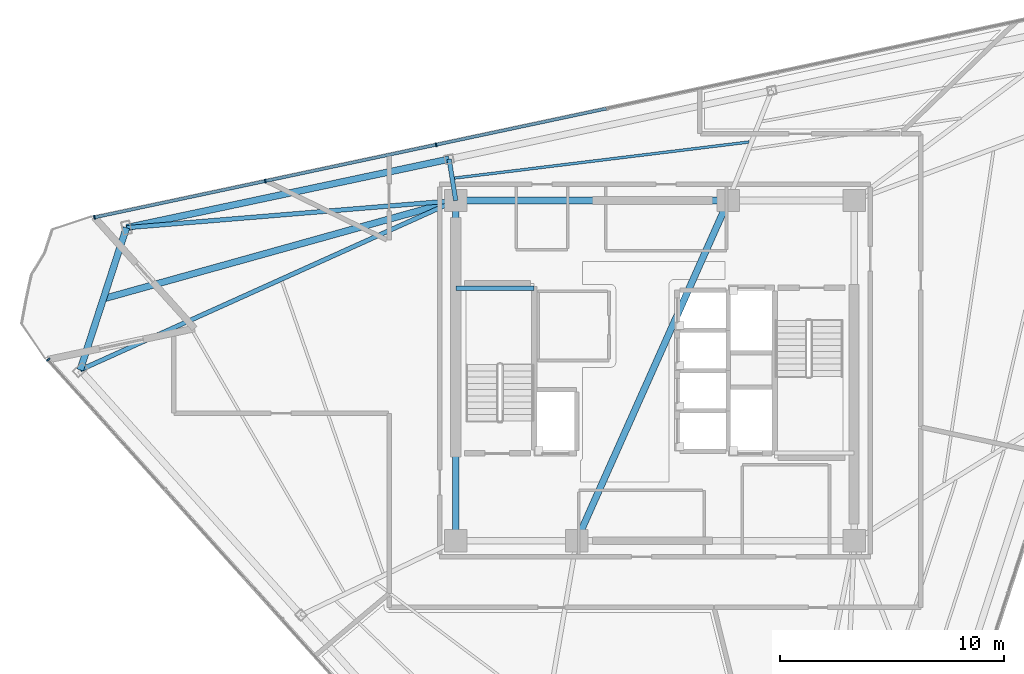
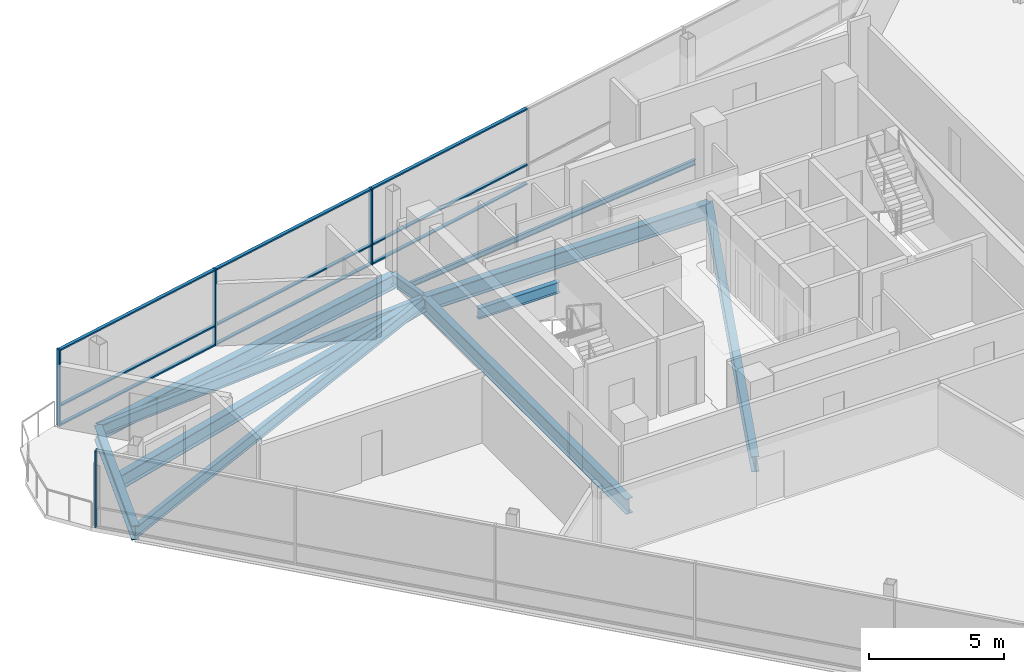
# One storey, part 6 of 15: 13 members, 11 beams, 2 elements without a shape of their own.
"""IFC4 building model written with IfcOpenShell, lengths in metres."""

from ifc_helpers import new_model, si_unit, direction, frame, origin, origin_2d, place, context, subcontext, project, spatial, rectangle, i_section, extrude, material, layer, layer_set, material_profile, profile_set, type_object, element, aggregate, save


model = new_model("IFC4")

# Units and contexts
model_context = context("Model", 3, precision=1e-05, world=origin(), true_north=direction((0.0, 1.0)))
body_context = subcontext(model_context, "Body", "Model", "MODEL_VIEW")
ifc_project = project(units=[si_unit("LENGTHUNIT", "METRE"), si_unit("AREAUNIT", "SQUARE_METRE"), si_unit("VOLUMEUNIT", "CUBIC_METRE"), si_unit("PLANEANGLEUNIT", "RADIAN"), si_unit("MASSUNIT", "GRAM", prefix="KILO")], contexts=[model_context])

# Site, building, storey
site_placement = place(None, origin())
site = spatial("IfcSite", under=ifc_project, at=site_placement, CompositionType="ELEMENT")
building_placement = place(site_placement, origin())
building = spatial("IfcBuilding", under=site, at=building_placement, Name="Tharavind Bronze Gate", CompositionType="ELEMENT")
storey_placement = place(building_placement, frame((0.0, 0.0, 290.699951171875)))
storey = spatial("IfcBuildingStorey", under=building, at=storey_placement, Name="L75", CompositionType="ELEMENT", Elevation=290.699951171875)

# Curtain wall, member
ifc_material_1 = material(Name="Anodised Bronze Aluminium", Category="aluminium")
ifc_layer = layer(ifc_material_1, 0.219970703125)
ifc_layer_set = layer_set([ifc_layer], Name="Anodised Bronze Aluminium")
curtain_wall_type = type_object("IfcCurtainWallType", Name="UNITISED CURTAIN WALL CROWN", PredefinedType="USERDEFINED", material=ifc_layer_set)
curtain_wall_1_placement = place(storey_placement, origin())
curtain_wall_1 = element("IfcCurtainWall", 1, at=curtain_wall_1_placement, inside=storey, type_object=curtain_wall_type, Name="L75 unitised curtain wall crown CW-L75-S1", ObjectType="UNITISED CURTAIN WALL", PredefinedType="USERDEFINED")
member_type_1 = type_object("IfcMemberType", Name="CURTAIN WALL BRONZE MULLION 65X180", PredefinedType="MULLION", material=ifc_material_1)
member_1_placement = place(storey_placement, frame((-27.105224609375, 0.4951171875, 0.0), z_axis=(0.0, 0.0, 1.0), x_axis=(0.669130606359, -0.743144825477, 0.0)))
member_1 = element("IfcMember", 2, at=member_1_placement, type_object=member_type_1, Name="CW-L75-S1 mullion 1", PredefinedType="MULLION", context=body_context, shape_type="SweptSolid", body=[
    extrude(rectangle(XDim=0.06494140625, YDim=0.179931640625, at=origin_2d()), origin(), (0.0, 0.0, 1.0), 3.465087890625),
])
aggregate(curtain_wall_1, [member_1])

# Curtain wall, members
curtain_wall_2_placement = place(storey_placement, origin())
curtain_wall_2 = element("IfcCurtainWall", 3, at=curtain_wall_2_placement, inside=storey, type_object=curtain_wall_type, Name="L75 unitised curtain wall crown CW-L75-S3", ObjectType="UNITISED CURTAIN WALL", PredefinedType="USERDEFINED")
member_2_placement = place(storey_placement, frame((-9.776611328125, 10.0927734375, 0.0), z_axis=(0.0, 0.0, 1.0), x_axis=(-0.978147237858, -0.207913398007, 0.0)))
member_2 = element("IfcMember", 4, at=member_2_placement, type_object=member_type_1, Name="CW-L75-S3 mullion 5", PredefinedType="MULLION", context=body_context, shape_type="SweptSolid", body=[
    extrude(rectangle(XDim=0.06494140625, YDim=0.179931640625, at=origin_2d()), origin(), (0.0, 0.0, 1.0), 3.465087890625),
])
member_3_placement = place(storey_placement, frame((-17.408935546875, 8.470458984375, 0.0), z_axis=(0.0, 0.0, 1.0), x_axis=(-0.978147237858, -0.207913398007, 0.0)))
member_3 = element("IfcMember", 5, at=member_3_placement, type_object=member_type_1, Name="CW-L75-S3 mullion 6", PredefinedType="MULLION", context=body_context, shape_type="SweptSolid", body=[
    extrude(rectangle(XDim=0.06494140625, YDim=0.179931640625, at=origin_2d()), origin(), (0.0, 0.0, 1.0), 3.465087890625),
])
member_4_placement = place(storey_placement, frame((-25.041015625, 6.84814453125, 0.0), z_axis=(0.0, 0.0, 1.0), x_axis=(-0.978147237858, -0.207913398007, 0.0)))
member_4 = element("IfcMember", 6, at=member_4_placement, type_object=member_type_1, Name="CW-L75-S3 mullion 7", PredefinedType="MULLION", context=body_context, shape_type="SweptSolid", body=[
    extrude(rectangle(XDim=0.06494140625, YDim=0.179931640625, at=origin_2d()), origin(), (0.0, 0.0, 1.0), 3.465087890625),
])
member_type_2 = type_object("IfcMemberType", Name="CURTAIN WALL BRONZE TRANSOM 65X140", PredefinedType="USERDEFINED", material=ifc_material_1)
member_5_placement = place(storey_placement, frame((-5.960693359375, 10.90380859375, 0.0), z_axis=(0.0, 0.0, 1.0), x_axis=(-0.978147237858, -0.207913398007, 0.0)))
member_5 = element("IfcMember", 7, at=member_5_placement, type_object=member_type_2, Name="CW-L75-S3 transom TB4", ObjectType="TRANSOM", PredefinedType="USERDEFINED", context=body_context, shape_type="SweptSolid", body=[
    extrude(rectangle(XDim=7.749755859375, YDim=0.139892578125, at=origin_2d()), origin(), (0.0, 0.0, 1.0), 0.06494140625),
])
member_6_placement = place(storey_placement, frame((-5.960693359375, 10.90380859375, 0.86767578125), z_axis=(0.0, 0.0, 1.0), x_axis=(-0.978147237858, -0.207913398007, 0.0)))
member_6 = element("IfcMember", 8, at=member_6_placement, type_object=member_type_2, Name="CW-L75-S3 transom TS4", ObjectType="TRANSOM", PredefinedType="USERDEFINED", context=body_context, shape_type="SweptSolid", body=[
    extrude(rectangle(XDim=7.749755859375, YDim=0.139892578125, at=origin_2d()), origin(), (0.0, 0.0, 1.0), 0.06494140625),
])
member_7_placement = place(storey_placement, frame((-5.960693359375, 10.90380859375, 3.400146484375), z_axis=(0.0, 0.0, 1.0), x_axis=(-0.978147237858, -0.207913398007, 0.0)))
member_7 = element("IfcMember", 9, at=member_7_placement, type_object=member_type_2, Name="CW-L75-S3 transom TT4", ObjectType="TRANSOM", PredefinedType="USERDEFINED", context=body_context, shape_type="SweptSolid", body=[
    extrude(rectangle(XDim=7.749755859375, YDim=0.139892578125, at=origin_2d()), origin(), (0.0, 0.0, 1.0), 0.06494140625),
])
member_8_placement = place(storey_placement, frame((-13.5927734375, 9.281494140625, 0.0), z_axis=(0.0, 0.0, 1.0), x_axis=(-0.978147237858, -0.207913398007, 0.0)))
member_8 = element("IfcMember", 10, at=member_8_placement, type_object=member_type_2, Name="CW-L75-S3 transom TB5", ObjectType="TRANSOM", PredefinedType="USERDEFINED", context=body_context, shape_type="SweptSolid", body=[
    extrude(rectangle(XDim=7.749755859375, YDim=0.139892578125, at=origin_2d()), origin(), (0.0, 0.0, 1.0), 0.06494140625),
])
member_9_placement = place(storey_placement, frame((-13.5927734375, 9.281494140625, 0.86767578125), z_axis=(0.0, 0.0, 1.0), x_axis=(-0.978147237858, -0.207913398007, 0.0)))
member_9 = element("IfcMember", 11, at=member_9_placement, type_object=member_type_2, Name="CW-L75-S3 transom TS5", ObjectType="TRANSOM", PredefinedType="USERDEFINED", context=body_context, shape_type="SweptSolid", body=[
    extrude(rectangle(XDim=7.749755859375, YDim=0.139892578125, at=origin_2d()), origin(), (0.0, 0.0, 1.0), 0.06494140625),
])
member_10_placement = place(storey_placement, frame((-13.5927734375, 9.281494140625, 3.400146484375), z_axis=(0.0, 0.0, 1.0), x_axis=(-0.978147237858, -0.207913398007, 0.0)))
member_10 = element("IfcMember", 12, at=member_10_placement, type_object=member_type_2, Name="CW-L75-S3 transom TT5", ObjectType="TRANSOM", PredefinedType="USERDEFINED", context=body_context, shape_type="SweptSolid", body=[
    extrude(rectangle(XDim=7.749755859375, YDim=0.139892578125, at=origin_2d()), origin(), (0.0, 0.0, 1.0), 0.06494140625),
])
member_11_placement = place(storey_placement, frame((-21.22509765625, 7.6591796875, 0.0), z_axis=(0.0, 0.0, 1.0), x_axis=(-0.978147237858, -0.207913398007, 0.0)))
member_11 = element("IfcMember", 13, at=member_11_placement, type_object=member_type_2, Name="CW-L75-S3 transom TB6", ObjectType="TRANSOM", PredefinedType="USERDEFINED", context=body_context, shape_type="SweptSolid", body=[
    extrude(rectangle(XDim=7.749755859375, YDim=0.139892578125, at=origin_2d()), origin(), (0.0, 0.0, 1.0), 0.06494140625),
])
member_12_placement = place(storey_placement, frame((-21.22509765625, 7.6591796875, 0.86767578125), z_axis=(0.0, 0.0, 1.0), x_axis=(-0.978147237858, -0.207913398007, 0.0)))
member_12 = element("IfcMember", 14, at=member_12_placement, type_object=member_type_2, Name="CW-L75-S3 transom TS6", ObjectType="TRANSOM", PredefinedType="USERDEFINED", context=body_context, shape_type="SweptSolid", body=[
    extrude(rectangle(XDim=7.749755859375, YDim=0.139892578125, at=origin_2d()), origin(), (0.0, 0.0, 1.0), 0.06494140625),
])
member_13_placement = place(storey_placement, frame((-21.22509765625, 7.6591796875, 3.400146484375), z_axis=(0.0, 0.0, 1.0), x_axis=(-0.978147237858, -0.207913398007, 0.0)))
member_13 = element("IfcMember", 15, at=member_13_placement, type_object=member_type_2, Name="CW-L75-S3 transom TT6", ObjectType="TRANSOM", PredefinedType="USERDEFINED", context=body_context, shape_type="SweptSolid", body=[
    extrude(rectangle(XDim=7.749755859375, YDim=0.139892578125, at=origin_2d()), origin(), (0.0, 0.0, 1.0), 0.06494140625),
])
aggregate(curtain_wall_2, [member_2, member_3, member_4, member_5, member_6, member_7, member_8, member_9, member_10, member_11, member_12, member_13])

# Beams
ifc_material_2 = material(Name="Steel S355", Category="steel")
ifc_material_profile_1 = material_profile(ifc_material_2, i_section(OverallWidth=0.300048828125, OverallDepth=0.64990234375, WebThickness=0.01611328125, FlangeThickness=0.031005859375, at=origin_2d()), Name="HE650B")
ifc_profile_set_1 = profile_set([ifc_material_profile_1], Name="Steel S355")
beam_type_1 = type_object("IfcBeamType", Name="PRIMARY GIRDER HE650B", PredefinedType="USERDEFINED", material=ifc_profile_set_1)
beam_1_placement = place(storey_placement, frame((-9.197265625, 9.44921875, -0.510009765625), z_axis=(-0.97814794647, -0.207910064249, 0.0), x_axis=(0.207910064249, -0.97814794647, 0.0)))
element("IfcBeam", 16, at=beam_1_placement, inside=storey, type_object=beam_type_1, Name="L75 primary girder he650b BM-L75-PRG11", ObjectType="GIRDER", PredefinedType="USERDEFINED", context=body_context, shape_type="SweptSolid", body=[
    extrude(i_section(OverallWidth=0.300048828125, OverallDepth=0.64990234375, WebThickness=0.01611328125, FlangeThickness=0.031005859375, at=origin_2d()), origin(), (0.0, 0.0, 1.0), 14.7392578125),
])
beam_2_placement = place(storey_placement, frame((-23.614501953125, 6.384765625, -0.510009765625), z_axis=(-0.309014999798, -0.95105716437, 0.0), x_axis=(0.95105716437, -0.309014999798, 0.0)))
element("IfcBeam", 17, at=beam_2_placement, inside=storey, type_object=beam_type_1, Name="L75 primary girder he650b BM-L75-PRG12", ObjectType="GIRDER", PredefinedType="USERDEFINED", context=body_context, shape_type="SweptSolid", body=[
    extrude(i_section(OverallWidth=0.300048828125, OverallDepth=0.64990234375, WebThickness=0.01611328125, FlangeThickness=0.031005859375, at=origin_2d()), origin(), (0.0, 0.0, 1.0), 6.679931640625),
])
beam_3_placement = place(storey_placement, frame((-8.89990234375, 7.60009765625, -0.510009765625), z_axis=(-0.963236664958, -0.268654289527, 0.0), x_axis=(0.268654289527, -0.963236664958, 0.0)))
element("IfcBeam", 18, at=beam_3_placement, inside=storey, type_object=beam_type_1, Name="L75 primary girder he650b BM-L75-BLCSB", ObjectType="GIRDER", PredefinedType="USERDEFINED", context=body_context, shape_type="SweptSolid", body=[
    extrude(i_section(OverallWidth=0.300048828125, OverallDepth=0.64990234375, WebThickness=0.01611328125, FlangeThickness=0.031005859375, at=origin_2d()), origin(), (0.0, 0.0, 1.0), 16.34765625),
])
ifc_material_profile_2 = material_profile(ifc_material_2, i_section(OverallWidth=0.199951171875, OverallDepth=0.5, WebThickness=0.01025390625, FlangeThickness=0.01611328125, at=origin_2d()), Name="IPE500")
ifc_profile_set_2 = profile_set([ifc_material_profile_2], Name="Steel S355")
beam_type_2 = type_object("IfcBeamType", Name="PRIMARY GIRDER IPE500", PredefinedType="USERDEFINED", material=ifc_profile_set_2)
beam_4_placement = place(storey_placement, frame((-8.89990234375, 3.679931640625, 1.375), z_axis=(1.0, 0.0, 0.0), x_axis=(0.0, 1.0, 0.0)))
element("IfcBeam", 19, at=beam_4_placement, inside=storey, type_object=beam_type_2, Name="L75 primary girder ipe500 BM-LD-ST1-L75-1", ObjectType="GIRDER", PredefinedType="USERDEFINED", context=body_context, shape_type="SweptSolid", body=[
    extrude(i_section(OverallWidth=0.199951171875, OverallDepth=0.5, WebThickness=0.01025390625, FlangeThickness=0.01611328125, at=origin_2d()), origin(), (0.0, 0.0, 1.0), 3.5),
])
beam_5_placement = place(storey_placement, frame((-25.6787109375, 0.03173828125, -0.43505859375), z_axis=(0.911557320277, 0.411173019361, 0.0), x_axis=(-0.411173019361, 0.911557320277, 0.0)))
element("IfcBeam", 20, at=beam_5_placement, inside=storey, type_object=beam_type_2, Name="L75 primary girder ipe500 BM-L75-RAD01", ObjectType="GIRDER", PredefinedType="USERDEFINED", context=body_context, shape_type="SweptSolid", body=[
    extrude(i_section(OverallWidth=0.199951171875, OverallDepth=0.5, WebThickness=0.01025390625, FlangeThickness=0.01611328125, at=origin_2d()), origin(), (0.0, 0.0, 1.0), 18.40673828125),
])
beam_6_placement = place(storey_placement, frame((-9.197265625, 9.44921875, -0.43505859375), z_axis=(0.15877339987, -0.987315049766, 0.0), x_axis=(0.987315049766, 0.15877339987, 0.0)))
element("IfcBeam", 21, at=beam_6_placement, inside=storey, type_object=beam_type_2, Name="L75 primary girder ipe500 BM-L75-RAD11", ObjectType="GIRDER", PredefinedType="USERDEFINED", context=body_context, shape_type="SweptSolid", body=[
    extrude(i_section(OverallWidth=0.199951171875, OverallDepth=0.5, WebThickness=0.01025390625, FlangeThickness=0.01611328125, at=origin_2d()), origin(), (0.0, 0.0, 1.0), 1.872802734375),
])
beam_7_placement = place(storey_placement, frame((-23.614501953125, 6.384765625, -0.43505859375), z_axis=(0.996606499326, 0.082313337321, 0.0), x_axis=(-0.082313337321, 0.996606499326, 0.0)))
element("IfcBeam", 22, at=beam_7_placement, inside=storey, type_object=beam_type_2, Name="L75 primary girder ipe500 BM-L75-RAD12", ObjectType="GIRDER", PredefinedType="USERDEFINED", context=body_context, shape_type="SweptSolid", body=[
    extrude(i_section(OverallWidth=0.199951171875, OverallDepth=0.5, WebThickness=0.01025390625, FlangeThickness=0.01611328125, at=origin_2d()), origin(), (0.0, 0.0, 1.0), 14.7646484375),
])
ifc_material_profile_3 = material_profile(ifc_material_2, i_section(OverallWidth=0.300048828125, OverallDepth=0.699951171875, WebThickness=0.01708984375, FlangeThickness=0.031982421875, at=origin_2d()), Name="HE700B")
ifc_profile_set_3 = profile_set([ifc_material_profile_3], Name="Steel S355")
beam_type_3 = type_object("IfcBeamType", Name="RING GIRDER HE700B", PredefinedType="USERDEFINED", material=ifc_profile_set_3)
beam_8_placement = place(storey_placement, frame((3.280029296875, 7.60009765625, -0.534912109375), z_axis=(-1.0, 0.0, 0.0), x_axis=(0.0, -1.0, 0.0)))
element("IfcBeam", 23, at=beam_8_placement, inside=storey, type_object=beam_type_3, Name="L75 ring girder he700b BM-L75-CR5", ObjectType="GIRDER", PredefinedType="USERDEFINED", context=body_context, shape_type="SweptSolid", body=[
    extrude(i_section(OverallWidth=0.300048828125, OverallDepth=0.699951171875, WebThickness=0.01708984375, FlangeThickness=0.031982421875, at=origin_2d()), origin(), (0.0, 0.0, 1.0), 12.179931640625),
])
beam_9_placement = place(storey_placement, frame((-8.89990234375, 7.60009765625, -0.534912109375), z_axis=(0.0, -1.0, 0.0), x_axis=(1.0, 0.0, 0.0)))
element("IfcBeam", 24, at=beam_9_placement, inside=storey, type_object=beam_type_3, Name="L75 ring girder he700b BM-L75-CR6", ObjectType="GIRDER", PredefinedType="USERDEFINED", context=body_context, shape_type="SweptSolid", body=[
    extrude(i_section(OverallWidth=0.300048828125, OverallDepth=0.699951171875, WebThickness=0.01708984375, FlangeThickness=0.031982421875, at=origin_2d()), origin(), (0.0, 0.0, 1.0), 15.2001953125),
])
beam_10_placement = place(storey_placement, frame((-3.5, -7.60009765625, -0.534912109375), z_axis=(0.407361644566, 0.913266932795, 0.0), x_axis=(-0.913266932795, 0.407361644566, 0.0)))
element("IfcBeam", 25, at=beam_10_placement, inside=storey, type_object=beam_type_3, Name="L75 ring girder he700b BM-L75-CR7", ObjectType="GIRDER", PredefinedType="USERDEFINED", context=body_context, shape_type="SweptSolid", body=[
    extrude(i_section(OverallWidth=0.300048828125, OverallDepth=0.699951171875, WebThickness=0.01708984375, FlangeThickness=0.031982421875, at=origin_2d()), origin(), (0.0, 0.0, 1.0), 16.643798828125),
])
ifc_material_profile_4 = material_profile(ifc_material_2, i_section(OverallWidth=0.1201171875, OverallDepth=0.239990234375, WebThickness=0.006103515625, FlangeThickness=0.009765625, at=origin_2d()), Name="IPE240")
ifc_profile_set_4 = profile_set([ifc_material_profile_4], Name="Steel S355")
beam_type_4 = type_object("IfcBeamType", Name="SECONDARY FLOOR JOIST IPE240", PredefinedType="JOIST", material=ifc_profile_set_4)
beam_11_placement = place(storey_placement, frame((4.200927734375, 10.214599609375, -0.304931640625), z_axis=(-0.992572551394, -0.121654141807, 0.0), x_axis=(0.121654141807, -0.992572551394, 0.0)))
element("IfcBeam", 26, at=beam_11_placement, inside=storey, type_object=beam_type_4, Name="L75 secondary floor joist ipe240 BM-L75-JSTA10", PredefinedType="JOIST", context=body_context, shape_type="SweptSolid", body=[
    extrude(i_section(OverallWidth=0.1201171875, OverallDepth=0.239990234375, WebThickness=0.006103515625, FlangeThickness=0.009765625, at=origin_2d()), origin(), (0.0, 0.0, 1.0), 13.255126953125),
])

save(model, "model.ifc")
